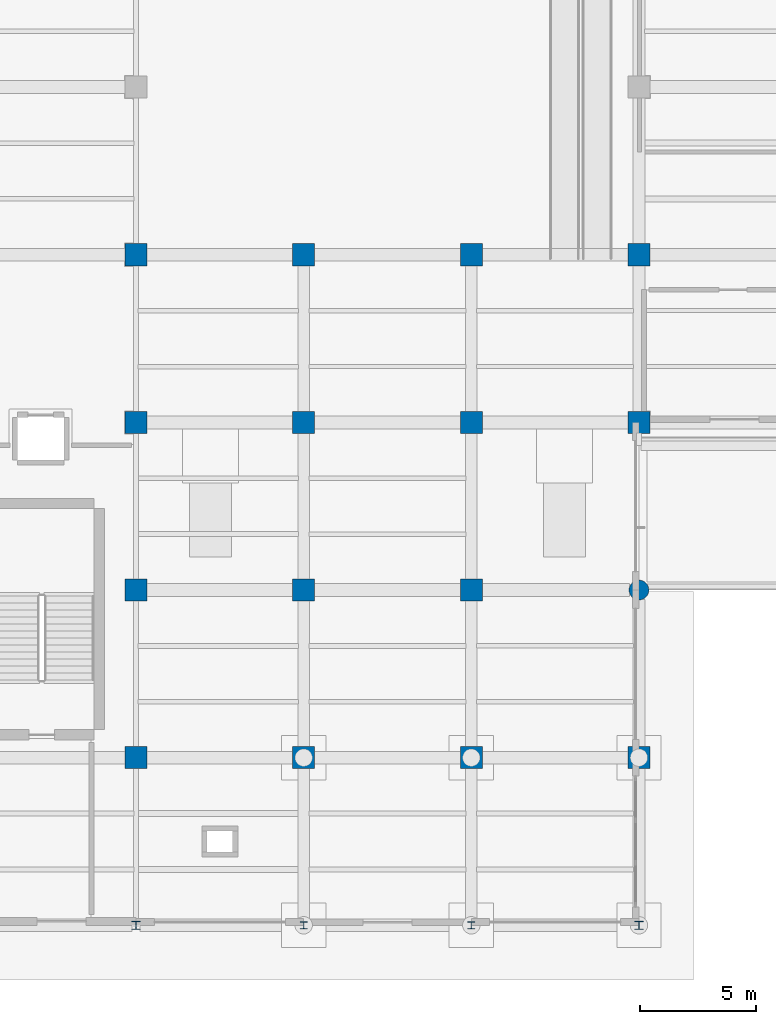
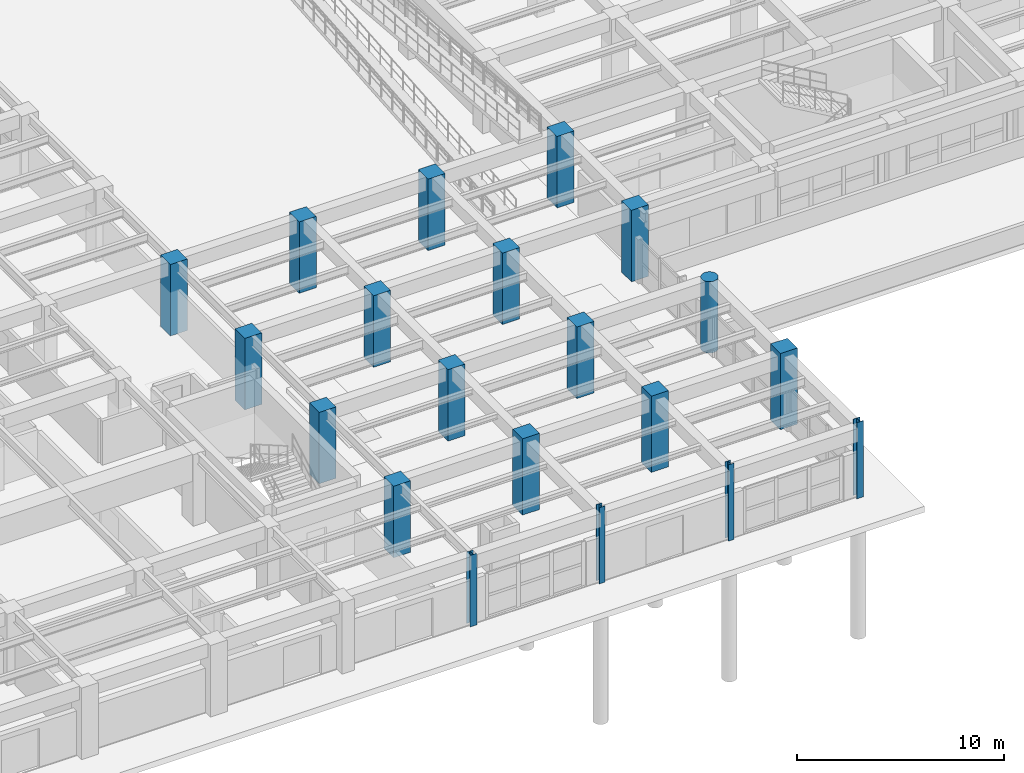
# One storey, part 2 of 64: 20 columns.
"""IFC4 building model written with IfcOpenShell, lengths in metres."""

from ifc_helpers import new_model, si_unit, direction, frame, origin, origin_2d, place, context, subcontext, project, spatial, rectangle, circle, i_section, extrude, material, material_profile, profile_set, type_object, element, save


model = new_model("IFC4")

# Units and contexts
model_context = context("Model", 3, precision=1e-05, world=origin(), true_north=direction((0.0, 1.0)))
body_context = subcontext(model_context, "Body", "Model", "MODEL_VIEW")
ifc_project = project(units=[si_unit("LENGTHUNIT", "METRE"), si_unit("AREAUNIT", "SQUARE_METRE"), si_unit("VOLUMEUNIT", "CUBIC_METRE"), si_unit("PLANEANGLEUNIT", "RADIAN"), si_unit("MASSUNIT", "GRAM", prefix="KILO")], contexts=[model_context])

# Site, building, storey
site_placement = place(None, origin())
site = spatial("IfcSite", under=ifc_project, at=site_placement, CompositionType="ELEMENT")
building_placement = place(site_placement, origin())
building = spatial("IfcBuilding", under=site, at=building_placement, Name="Solenvale Faculty of Natural Sciences", CompositionType="ELEMENT")
storey_placement = place(building_placement, origin())
storey = spatial("IfcBuildingStorey", under=building, at=storey_placement, Name="L00", CompositionType="ELEMENT", Elevation=0.0)

# Columns
ifc_material_1 = material(Name="Concrete 50 MPa", Category="concrete")
ifc_material_profile_1 = material_profile(ifc_material_1, rectangle(XDim=0.949951171875, YDim=0.949951171875, at=origin_2d()), Name="RC-COL-950x950")
ifc_profile_set_1 = profile_set([ifc_material_profile_1], Name="Concrete 50 MPa")
column_type_1 = type_object("IfcColumnType", Name="COL-RC-950", PredefinedType="COLUMN", material=ifc_profile_set_1)
for number, where, z_axis, x_axis, name in (
    (1, (36.0, 7.199951171875, 0.0), (0.0, 0.0, 1.0), (1.0, 0.0, 0.0), "L00 Column (36.0, 7.2)"),
    (2, (36.0, 14.39990234375, 0.0), (0.0, 0.0, 1.0), (1.0, 0.0, 0.0), "L00 Column (36.0, 14.4)"),
    (3, (36.0, 21.60009765625, 0.0), (0.0, 0.0, 1.0), (1.0, 0.0, 0.0), "L00 Column (36.0, 21.6)"),
    (4, (36.0, 28.800048828125, 0.0), (0.0, 0.0, 1.0), (1.0, 0.0, 0.0), "L00 Column (36.0, 28.8)"),
):
    element("IfcColumn", number, at=place(storey_placement, frame(where, z_axis=z_axis, x_axis=x_axis)), inside=storey, type_object=column_type_1, Name=name, PredefinedType="COLUMN", context=body_context, shape_type="SweptSolid", body=[
        extrude(rectangle(XDim=0.949951171875, YDim=0.949951171875, at=origin_2d()), origin(), (0.0, 0.0, 1.0), 4.219970703125),
    ])
column_1_placement = place(storey_placement, frame((43.199951171875, 7.199951171875, 0.0), z_axis=(0.0, 0.0, 1.0), x_axis=(1.0, 0.0, 0.0)))
element("IfcColumn", 5, at=column_1_placement, inside=storey, type_object=column_type_1, Name="L00 Column (43.2, 7.2)", PredefinedType="COLUMN", context=body_context, shape_type="SweptSolid", body=[
    extrude(rectangle(XDim=0.949951171875, YDim=0.949951171875, at=origin_2d()), origin(), (0.0, 0.0, 1.0), 4.5),
])
for number, where, z_axis, x_axis, name in (
    (6, (43.199951171875, 14.39990234375, 0.0), (0.0, 0.0, 1.0), (1.0, 0.0, 0.0), "L00 Column (43.2, 14.4)"),
    (7, (43.199951171875, 21.60009765625, 0.0), (0.0, 0.0, 1.0), (1.0, 0.0, 0.0), "L00 Column (43.2, 21.6)"),
    (8, (43.199951171875, 28.800048828125, 0.0), (0.0, 0.0, 1.0), (1.0, 0.0, 0.0), "L00 Column (43.2, 28.8)"),
):
    element("IfcColumn", number, at=place(storey_placement, frame(where, z_axis=z_axis, x_axis=x_axis)), inside=storey, type_object=column_type_1, Name=name, PredefinedType="COLUMN", context=body_context, shape_type="SweptSolid", body=[
        extrude(rectangle(XDim=0.949951171875, YDim=0.949951171875, at=origin_2d()), origin(), (0.0, 0.0, 1.0), 4.219970703125),
    ])
column_2_placement = place(storey_placement, frame((50.39990234375, 7.199951171875, 0.0), z_axis=(0.0, 0.0, 1.0), x_axis=(1.0, 0.0, 0.0)))
element("IfcColumn", 9, at=column_2_placement, inside=storey, type_object=column_type_1, Name="L00 Column (50.4, 7.2)", PredefinedType="COLUMN", context=body_context, shape_type="SweptSolid", body=[
    extrude(rectangle(XDim=0.949951171875, YDim=0.949951171875, at=origin_2d()), origin(), (0.0, 0.0, 1.0), 4.5),
])
for number, where, z_axis, x_axis, name in (
    (10, (50.39990234375, 14.39990234375, 0.0), (0.0, 0.0, 1.0), (1.0, 0.0, 0.0), "L00 Column (50.4, 14.4)"),
    (11, (50.39990234375, 21.60009765625, 0.0), (0.0, 0.0, 1.0), (1.0, 0.0, 0.0), "L00 Column (50.4, 21.6)"),
    (12, (50.39990234375, 28.800048828125, 0.0), (0.0, 0.0, 1.0), (1.0, 0.0, 0.0), "L00 Column (50.4, 28.8)"),
):
    element("IfcColumn", number, at=place(storey_placement, frame(where, z_axis=z_axis, x_axis=x_axis)), inside=storey, type_object=column_type_1, Name=name, PredefinedType="COLUMN", context=body_context, shape_type="SweptSolid", body=[
        extrude(rectangle(XDim=0.949951171875, YDim=0.949951171875, at=origin_2d()), origin(), (0.0, 0.0, 1.0), 4.219970703125),
    ])
column_3_placement = place(storey_placement, frame((57.60009765625, 7.199951171875, 0.0), z_axis=(0.0, 0.0, 1.0), x_axis=(1.0, 0.0, 0.0)))
element("IfcColumn", 13, at=column_3_placement, inside=storey, type_object=column_type_1, Name="L00 Column (57.6, 7.2)", PredefinedType="COLUMN", context=body_context, shape_type="SweptSolid", body=[
    extrude(rectangle(XDim=0.949951171875, YDim=0.949951171875, at=origin_2d()), origin(), (0.0, 0.0, 1.0), 4.5),
])
for number, where, z_axis, x_axis, name in (
    (14, (57.60009765625, 21.60009765625, 0.0), (0.0, 0.0, 1.0), (1.0, 0.0, 0.0), "L00 Column (57.6, 21.6)"),
    (15, (57.60009765625, 28.800048828125, 0.0), (0.0, 0.0, 1.0), (1.0, 0.0, 0.0), "L00 Column (57.6, 28.8)"),
):
    element("IfcColumn", number, at=place(storey_placement, frame(where, z_axis=z_axis, x_axis=x_axis)), inside=storey, type_object=column_type_1, Name=name, PredefinedType="COLUMN", context=body_context, shape_type="SweptSolid", body=[
        extrude(rectangle(XDim=0.949951171875, YDim=0.949951171875, at=origin_2d()), origin(), (0.0, 0.0, 1.0), 4.219970703125),
    ])
ifc_material_2 = material(Name="Architectural bronze concrete 40 MPa", Category="concrete")
ifc_material_profile_2 = material_profile(ifc_material_2, circle(Radius=0.425048828125, at=origin_2d()), Name="RC-COL-D850")
ifc_profile_set_2 = profile_set([ifc_material_profile_2], Name="Architectural bronze concrete 40 MPa")
column_type_2 = type_object("IfcColumnType", Name="COL-RC-D850", PredefinedType="COLUMN", material=ifc_profile_set_2)
column_4_placement = place(storey_placement, frame((57.60009765625, 14.39990234375, 0.0), z_axis=(0.0, 0.0, 1.0), x_axis=(1.0, 0.0, 0.0)))
element("IfcColumn", 16, at=column_4_placement, inside=storey, type_object=column_type_2, Name="L00 Column (57.6, 14.4)", PredefinedType="COLUMN", context=body_context, shape_type="SweptSolid", body=[
    extrude(circle(Radius=0.425048828125, at=origin_2d()), origin(), (0.0, 0.0, 1.0), 4.219970703125),
])
ifc_material_3 = material(Name="Steel S355", Category="steel")
ifc_material_profile_3 = material_profile(ifc_material_3, i_section(OverallWidth=0.30810546875, OverallDepth=0.318115234375, WebThickness=0.01318359375, FlangeThickness=0.0205078125, FilletRadius=0.014892578125, at=origin_2d()), Name="W310x129")
ifc_profile_set_3 = profile_set([ifc_material_profile_3], Name="Steel S355")
column_type_3 = type_object("IfcColumnType", Name="COL-STL-W310x129", PredefinedType="COLUMN", material=ifc_profile_set_3)
for number, where, z_axis, x_axis, name in (
    (17, (43.199951171875, 0.0, 0.0), (0.0, 0.0, 1.0), (1.0, 0.0, 0.0), "L00 Column (43.2, 0.0)"),
    (18, (50.39990234375, 0.0, 0.0), (0.0, 0.0, 1.0), (1.0, 0.0, 0.0), "L00 Column (50.4, 0.0)"),
):
    element("IfcColumn", number, at=place(storey_placement, frame(where, z_axis=z_axis, x_axis=x_axis)), inside=storey, type_object=column_type_3, Name=name, PredefinedType="COLUMN", context=body_context, shape_type="SweptSolid", body=[
        extrude(i_section(OverallWidth=0.30810546875, OverallDepth=0.318115234375, WebThickness=0.01318359375, FlangeThickness=0.0205078125, FilletRadius=0.014892578125, at=origin_2d()), origin(), (0.0, 0.0, 1.0), 4.5),
    ])
ifc_material_profile_4 = material_profile(ifc_material_3, i_section(OverallWidth=0.368896484375, OverallDepth=0.35595703125, WebThickness=0.01123046875, FlangeThickness=0.01806640625, FilletRadius=0.014892578125, at=origin_2d()), Name="W360x134")
ifc_profile_set_4 = profile_set([ifc_material_profile_4], Name="Steel S355")
column_type_4 = type_object("IfcColumnType", Name="COL-STL-W360x134", PredefinedType="COLUMN", material=ifc_profile_set_4)
column_5_placement = place(storey_placement, frame((36.0, 0.0, 0.0), z_axis=(0.0, 0.0, 1.0), x_axis=(1.0, 0.0, 0.0)))
element("IfcColumn", 19, at=column_5_placement, inside=storey, type_object=column_type_4, Name="L00 Column (36.0, 0.0)", PredefinedType="COLUMN", context=body_context, shape_type="SweptSolid", body=[
    extrude(i_section(OverallWidth=0.368896484375, OverallDepth=0.35595703125, WebThickness=0.01123046875, FlangeThickness=0.01806640625, FilletRadius=0.014892578125, at=origin_2d()), origin(), (0.0, 0.0, 1.0), 4.219970703125),
])
column_6_placement = place(storey_placement, frame((57.60009765625, 0.0, 0.0), z_axis=(0.0, 0.0, 1.0), x_axis=(1.0, 0.0, 0.0)))
element("IfcColumn", 20, at=column_6_placement, inside=storey, type_object=column_type_4, Name="L00 Column (57.6, 0.0)", PredefinedType="COLUMN", context=body_context, shape_type="SweptSolid", body=[
    extrude(i_section(OverallWidth=0.368896484375, OverallDepth=0.35595703125, WebThickness=0.01123046875, FlangeThickness=0.01806640625, FilletRadius=0.014892578125, at=origin_2d()), origin(), (0.0, 0.0, 1.0), 4.5),
])

save(model, "model.ifc")
